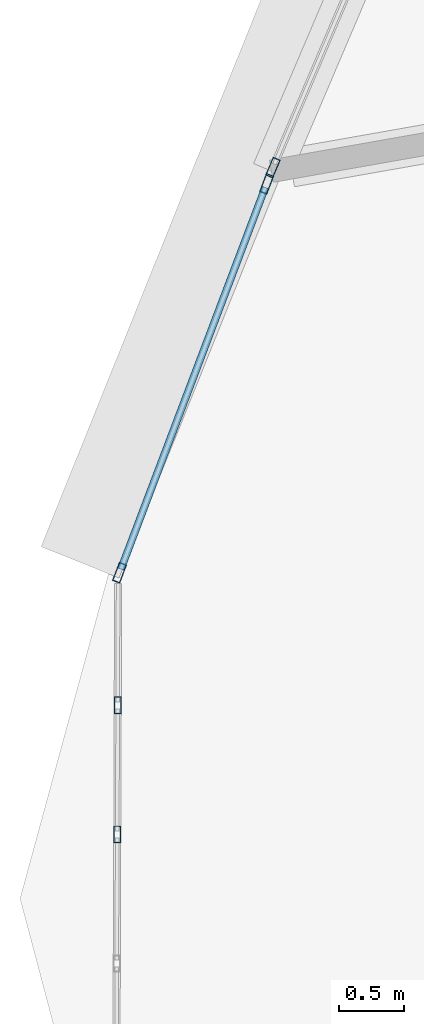
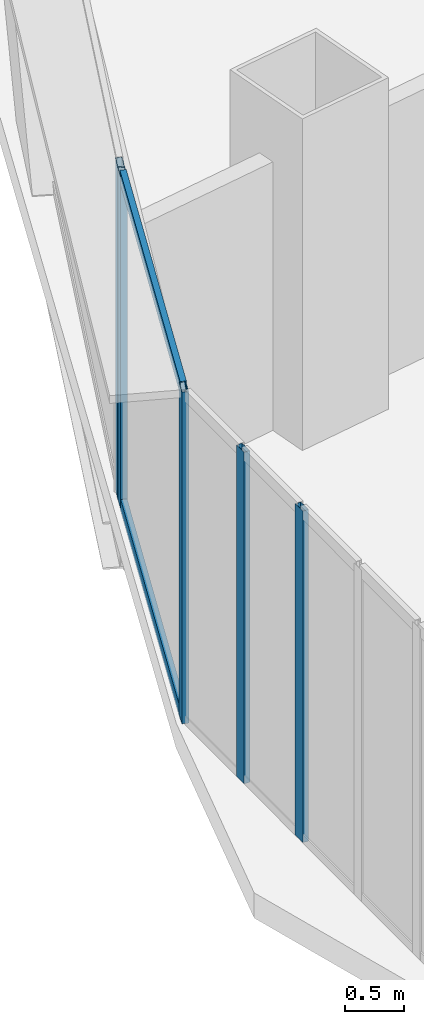
# One storey, part 4 of 42: 7 members, 3 elements without a shape of their own.
"""IFC4 building model written with IfcOpenShell, lengths in metres."""

from ifc_helpers import new_model, si_unit, direction, frame, origin, origin_2d, place, context, subcontext, project, spatial, hollow_rectangle, extrude, source, transform, mapped, material, layer, layer_set, material_profile, profile_set, type_object, element, aggregate, save


model = new_model("IFC4")

# Units and contexts
model_context = context("Model", 3, precision=1e-05, world=origin(), true_north=direction((0.0, 1.0)))
body_context = subcontext(model_context, "Body", "Model", "MODEL_VIEW")
ifc_project = project(units=[si_unit("LENGTHUNIT", "METRE"), si_unit("AREAUNIT", "SQUARE_METRE"), si_unit("VOLUMEUNIT", "CUBIC_METRE"), si_unit("PLANEANGLEUNIT", "RADIAN"), si_unit("MASSUNIT", "GRAM", prefix="KILO"), si_unit("THERMODYNAMICTEMPERATUREUNIT", "KELVIN"), si_unit("POWERUNIT", "WATT")], contexts=[model_context])

# Site, building, storey
site_placement = place(None, origin())
site = spatial("IfcSite", under=ifc_project, at=site_placement, CompositionType="ELEMENT")
building_placement = place(site_placement, origin())
building = spatial("IfcBuilding", under=site, at=building_placement, Name="Yunzhuo Pagoda Commons", CompositionType="ELEMENT")
storey_placement = place(building_placement, frame((0.0, 0.0, 133.510009765625)))
storey = spatial("IfcBuildingStorey", under=building, at=storey_placement, Name="L33", CompositionType="ELEMENT", Elevation=133.510009765625)

# Curtain wall, member
ifc_material = material(Name="Anodized aluminium 6063-T6", Category="aluminium")
ifc_layer_1 = layer(ifc_material, 0.14990234375)
ifc_layer_set_1 = layer_set([ifc_layer_1], Name="Anodized aluminium 6063-T6")
curtain_wall_type_1 = type_object("IfcCurtainWallType", Name="CW-MID Mid-Zone Ribbon Curtain Wall", PredefinedType="NOTDEFINED", material=ifc_layer_set_1)
curtain_wall_1_placement = place(storey_placement, origin())
curtain_wall_1 = element("IfcCurtainWall", 1, at=curtain_wall_1_placement, inside=storey, type_object=curtain_wall_type_1, Name="L33 curtain wall CW-L33-F3B4", PredefinedType="NOTDEFINED")
ifc_material_profile_1 = material_profile(ifc_material, hollow_rectangle(XDim=0.06005859375, YDim=0.14990234375, WallThickness=0.00390625, at=origin_2d()), Name="Anodized aluminium 6063-T6")
ifc_profile_set_1 = profile_set([ifc_material_profile_1], Name="Anodized aluminium 6063-T6")
member_type_1 = type_object("IfcMemberType", Name="CW-MID-M Mullion RHS 150x60x4", PredefinedType="MULLION", material=ifc_profile_set_1)
shared_shape_1 = source(origin(), body_context, "Body", "SweptSolid", [
    extrude(hollow_rectangle(XDim=0.06005859375, YDim=0.14990234375, WallThickness=0.00390625, at=origin_2d()), origin(), (0.0, 0.0, 1.0), 3.419921875),
])
member_1_placement = place(storey_placement, frame((8.9638671875, 26.84228515625, 0.0), z_axis=(0.0, 0.0, 1.0), x_axis=(0.919928137274, -0.392087008522, 0.0)))
member_1 = element("IfcMember", 2, at=member_1_placement, type_object=member_type_1, Name="CW mullion 2", PredefinedType="MULLION", context=body_context, shape_type="MappedRepresentation", body=[
    mapped(shared_shape_1, transform((0.0, 0.0, 0.0), scale=1.0)),
])
aggregate(curtain_wall_1, [member_1])

# Curtain wall, members
curtain_wall_2_placement = place(storey_placement, origin())
curtain_wall_2 = element("IfcCurtainWall", 3, at=curtain_wall_2_placement, inside=storey, type_object=curtain_wall_type_1, Name="L33 curtain wall CW-L33-F3B5", PredefinedType="NOTDEFINED")
member_2_placement = place(storey_placement, frame((8.9150390625, 26.716552734375, 0.0), z_axis=(0.0, 0.0, 1.0), x_axis=(0.935321752827, -0.353798274003, 0.0)))
member_2 = element("IfcMember", 4, at=member_2_placement, type_object=member_type_1, Name="CW mullion 1", PredefinedType="MULLION", context=body_context, shape_type="MappedRepresentation", body=[
    mapped(shared_shape_1, transform((0.0, 0.0, 0.0), scale=1.0)),
])
member_3_placement = place(storey_placement, frame((7.777099609375, 23.708740234375, 0.0), z_axis=(0.0, 0.0, 1.0), x_axis=(0.935321752827, -0.353798274003, 0.0)))
member_3 = element("IfcMember", 5, at=member_3_placement, type_object=member_type_1, Name="CW mullion 2", PredefinedType="MULLION", context=body_context, shape_type="MappedRepresentation", body=[
    mapped(shared_shape_1, transform((0.0, 0.0, 0.0), scale=1.0)),
])
ifc_material_profile_2 = material_profile(ifc_material, hollow_rectangle(XDim=0.054931640625, YDim=0.1298828125, WallThickness=0.00341796875, at=origin_2d()), Name="Anodized aluminium 6063-T6")
ifc_profile_set_2 = profile_set([ifc_material_profile_2], Name="Anodized aluminium 6063-T6")
member_type_2 = type_object("IfcMemberType", Name="CW-MID-T Transom RHS 130x55x3.5", PredefinedType="USERDEFINED", material=ifc_profile_set_2)
shared_shape_2 = source(origin(), body_context, "Body", "SweptSolid", [
    extrude(hollow_rectangle(XDim=0.054931640625, YDim=0.1298828125, WallThickness=0.00341796875, at=origin_2d()), origin(), (0.0, 0.0, 1.0), 3.15576171875),
])
member_4_placement = place(storey_placement, frame((8.904296875, 26.6884765625, 0.027587890625), z_axis=(-0.353784181355, -0.935327083443, 0.0), x_axis=(0.935327083443, -0.353784181355, 0.0)))
member_4 = element("IfcMember", 6, at=member_4_placement, type_object=member_type_2, Name="CW transom 1.1", ObjectType="TRANSOM", PredefinedType="USERDEFINED", context=body_context, shape_type="MappedRepresentation", body=[
    mapped(shared_shape_2, transform((0.0, 0.0, 0.0), scale=1.0)),
])
member_5_placement = place(storey_placement, frame((8.904296875, 26.6884765625, 3.392578125), z_axis=(-0.353784181355, -0.935327083443, 0.0), x_axis=(0.935327083443, -0.353784181355, 0.0)))
member_5 = element("IfcMember", 7, at=member_5_placement, type_object=member_type_2, Name="CW transom 1.2", ObjectType="TRANSOM", PredefinedType="USERDEFINED", context=body_context, shape_type="MappedRepresentation", body=[
    mapped(shared_shape_2, transform((0.0, 0.0, 0.0), scale=1.0)),
])
aggregate(curtain_wall_2, [member_2, member_3, member_4, member_5])

ifc_layer_2 = layer(ifc_material, 0.1298828125)
ifc_layer_set_2 = layer_set([ifc_layer_2], Name="Anodized aluminium 6063-T6")
curtain_wall_type_2 = type_object("IfcCurtainWallType", Name="CW-VTX Rounded Corner Curtain Wall", PredefinedType="NOTDEFINED", material=ifc_layer_set_2)
curtain_wall_3_placement = place(storey_placement, origin())
curtain_wall_3 = element("IfcCurtainWall", 8, at=curtain_wall_3_placement, inside=storey, type_object=curtain_wall_type_2, Name="L33 curtain wall CW-L33-VTX1S1", PredefinedType="NOTDEFINED")
ifc_material_profile_3 = material_profile(ifc_material, hollow_rectangle(XDim=0.054931640625, YDim=0.1298828125, WallThickness=0.00341796875, at=origin_2d()), Name="Anodized aluminium 6063-T6")
ifc_profile_set_3 = profile_set([ifc_material_profile_3], Name="Anodized aluminium 6063-T6")
member_type_3 = type_object("IfcMemberType", Name="CW-VTX-M Mullion RHS 130x55x3.5", PredefinedType="MULLION", material=ifc_profile_set_3)
shared_shape_3 = source(origin(), body_context, "Body", "SweptSolid", [
    extrude(hollow_rectangle(XDim=0.054931640625, YDim=0.1298828125, WallThickness=0.00341796875, at=origin_2d()), origin(), (0.0, 0.0, 1.0), 3.419921875),
])
member_6_placement = place(storey_placement, frame((7.76318359375, 22.6826171875, 0.0), z_axis=(0.0, 0.0, 1.0), x_axis=(0.999993568215, -0.003586576275, 0.0)))
member_6 = element("IfcMember", 9, at=member_6_placement, type_object=member_type_3, Name="CW mullion 2", PredefinedType="MULLION", context=body_context, shape_type="MappedRepresentation", body=[
    mapped(shared_shape_3, transform((0.0, 0.0, 0.0), scale=1.0)),
])
member_7_placement = place(storey_placement, frame((7.759765625, 21.684326171875, 0.0), z_axis=(0.0, 0.0, 1.0), x_axis=(0.999993568215, -0.003586576275, 0.0)))
member_7 = element("IfcMember", 10, at=member_7_placement, type_object=member_type_3, Name="CW mullion 3", PredefinedType="MULLION", context=body_context, shape_type="MappedRepresentation", body=[
    mapped(shared_shape_3, transform((0.0, 0.0, 0.0), scale=1.0)),
])
aggregate(curtain_wall_3, [member_6, member_7])

save(model, "model.ifc")
